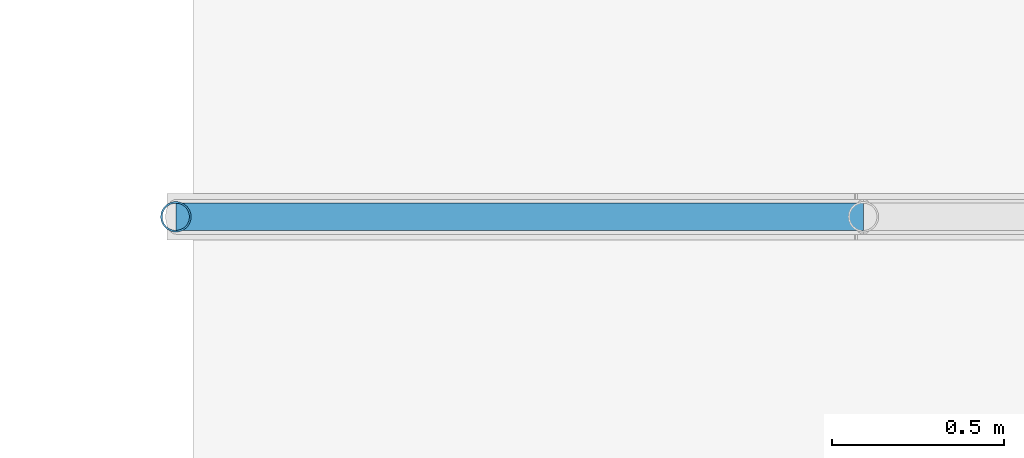
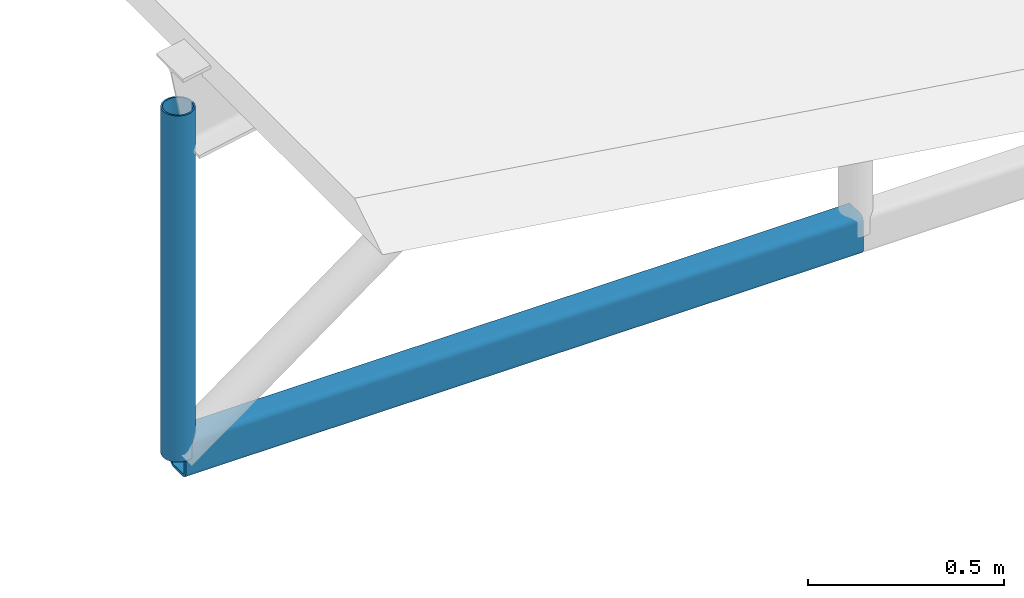
# One storey, part 10 of 54: 2 members.
"""IFC4 building model written with IfcOpenShell, lengths in metres."""

from ifc_helpers import new_model, si_unit, derived_unit, direction, frame, origin, origin_2d, place, context, subcontext, project, spatial, hollow_rectangle, hollow_circle, extrude, material, material_profile, profile_set, type_object, element, save


model = new_model("IFC4")

# Units and contexts
model_context = context("Model", 3, precision=1e-05, world=origin(), true_north=direction((0.0, 1.0)))
body_context = subcontext(model_context, "Body", "Model", "MODEL_VIEW")
ifc_project = project(units=[si_unit("LENGTHUNIT", "METRE"), si_unit("AREAUNIT", "SQUARE_METRE"), si_unit("VOLUMEUNIT", "CUBIC_METRE"), si_unit("PLANEANGLEUNIT", "RADIAN"), si_unit("MASSUNIT", "GRAM", prefix="KILO"), derived_unit("THERMALTRANSMITTANCEUNIT", [(si_unit("POWERUNIT", "WATT"), 1), (si_unit("LENGTHUNIT", "METRE"), -2), (si_unit("THERMODYNAMICTEMPERATUREUNIT", "KELVIN"), -1)])], contexts=[model_context])

# Site, building, storey
site_placement = place(None, origin())
site = spatial("IfcSite", under=ifc_project, at=site_placement, CompositionType="ELEMENT")
building_placement = place(site_placement, origin())
building = spatial("IfcBuilding", under=site, at=building_placement, Name="Keldorne Ridge Multi-Sports Centre", CompositionType="ELEMENT")
storey_placement = place(building_placement, frame((0.0, 0.0, 22.199951171875)))
storey = spatial("IfcBuildingStorey", under=building, at=storey_placement, Name="ROOF", CompositionType="ELEMENT", Elevation=22.199951171875)

# Members
ifc_material = material(Name="Steel S355", Category="steel")
ifc_material_profile_1 = material_profile(ifc_material, hollow_rectangle(XDim=0.080078125, YDim=0.1201171875, WallThickness=0.008056640625, InnerFilletRadius=0.008056640625, OuterFilletRadius=0.01611328125, at=origin_2d()), Name="RHS 120x80x8")
ifc_profile_set_1 = profile_set([ifc_material_profile_1], Name="Steel S355")
member_type_1 = type_object("IfcMemberType", Name="MEM-TC-07", PredefinedType="CHORD", material=ifc_profile_set_1)
member_1_placement = place(storey_placement, frame((84.0, 22.0, -13.719970703125), z_axis=(1.0, 0.0, 0.0), x_axis=(0.0, 1.0, 0.0)))
element("IfcMember", 1, at=member_1_placement, inside=storey, type_object=member_type_1, Name="Public Passage bowstring tie chord 03.1", PredefinedType="CHORD", context=body_context, shape_type="SweptSolid", body=[
    extrude(hollow_rectangle(XDim=0.080078125, YDim=0.1201171875, WallThickness=0.008056640625, InnerFilletRadius=0.008056640625, OuterFilletRadius=0.01611328125, at=origin_2d()), origin(), (0.0, 0.0, 1.0), 2.0),
])
ifc_material_profile_2 = material_profile(ifc_material, hollow_circle(Radius=0.04443359375, WallThickness=0.0048828125, at=origin_2d()), Name="CHS 88.9x5")
ifc_profile_set_2 = profile_set([ifc_material_profile_2], Name="Steel S355")
member_type_2 = type_object("IfcMemberType", Name="MEM-TV-07", PredefinedType="STRUT", material=ifc_profile_set_2)
member_2_placement = place(storey_placement, frame((84.0, 22.0, -13.719970703125), z_axis=(0.0, 0.0, 1.0), x_axis=(1.0, 0.0, 0.0)))
element("IfcMember", 2, at=member_2_placement, inside=storey, type_object=member_type_2, Name="Public Passage bowstring hanger 03.1", PredefinedType="STRUT", context=body_context, shape_type="SweptSolid", body=[
    extrude(hollow_circle(Radius=0.04443359375, WallThickness=0.0048828125, at=origin_2d()), origin(), (0.0, 0.0, 1.0), 1.080078125),
])

save(model, "model.ifc")
